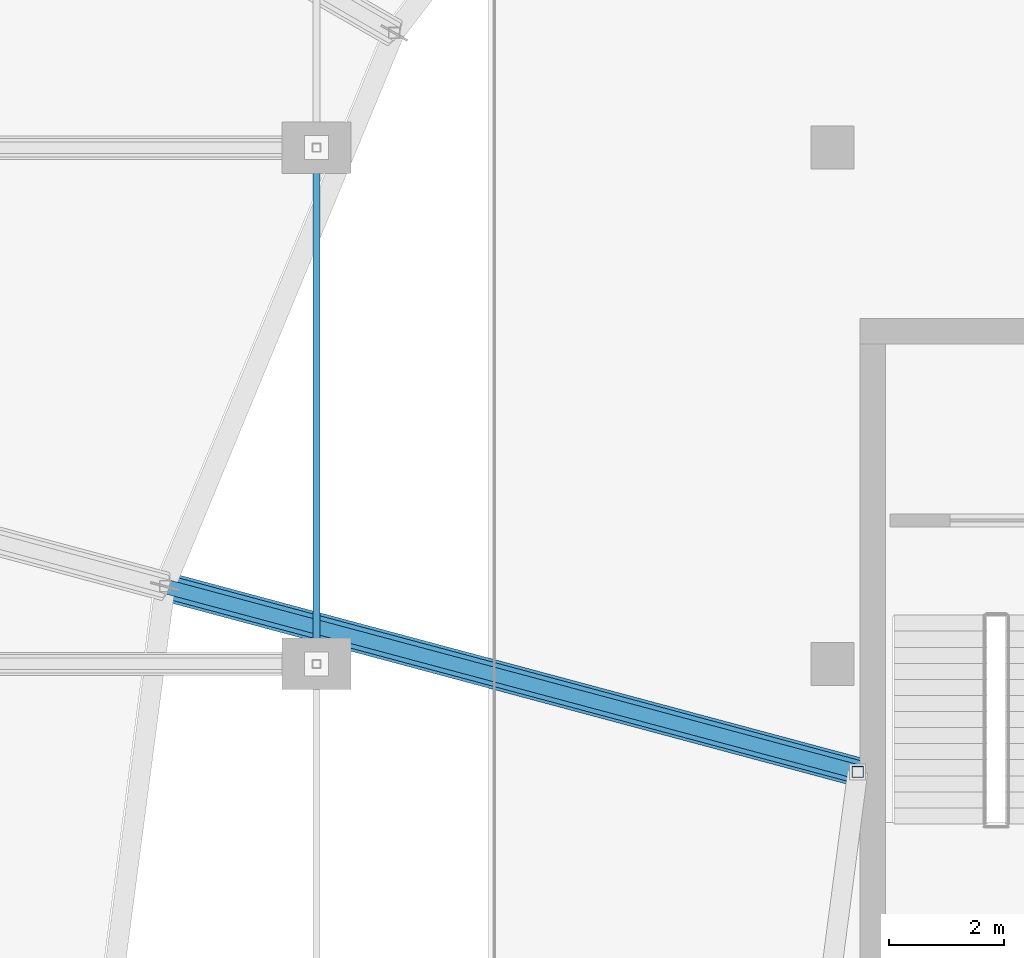
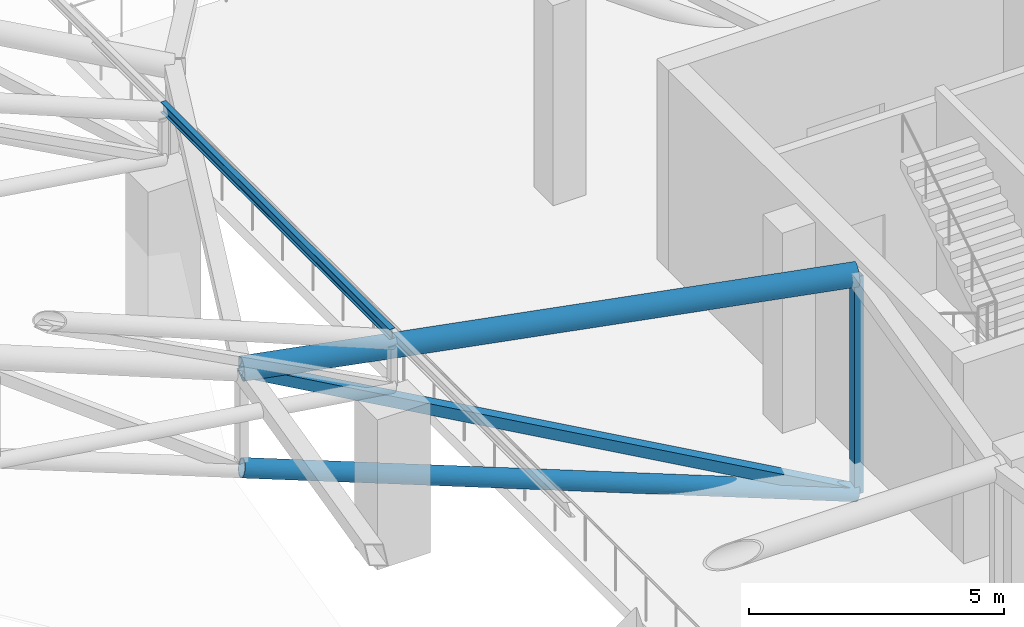
# One storey, part 52 of 167: 5 members.
"""IFC4 building model written with IfcOpenShell, lengths in metres."""

from ifc_helpers import new_model, si_unit, direction, frame, origin, origin_2d, place, context, subcontext, project, spatial, hollow_rectangle, hollow_circle, i_section, extrude, material, material_profile, profile_set, type_object, element, save


model = new_model("IFC4")

# Units and contexts
model_context = context("Model", 3, precision=1e-05, world=origin(), true_north=direction((0.0, 1.0)))
body_context = subcontext(model_context, "Body", "Model", "MODEL_VIEW")
ifc_project = project(units=[si_unit("LENGTHUNIT", "METRE"), si_unit("AREAUNIT", "SQUARE_METRE"), si_unit("VOLUMEUNIT", "CUBIC_METRE"), si_unit("PLANEANGLEUNIT", "RADIAN"), si_unit("MASSUNIT", "GRAM", prefix="KILO")], contexts=[model_context])

# Site, building, storey
site_placement = place(None, origin())
site = spatial("IfcSite", under=ifc_project, at=site_placement, CompositionType="ELEMENT")
building_placement = place(site_placement, origin())
building = spatial("IfcBuilding", under=site, at=building_placement, Name="Dornveld Trade and Exhibition Forum", CompositionType="ELEMENT")
storey_placement = place(building_placement, frame((0.0, 0.0, 16.800048828125)))
storey = spatial("IfcBuildingStorey", under=building, at=storey_placement, Name="L03", CompositionType="ELEMENT", Elevation=16.800048828125)

# Members
ifc_material_1 = material(Name="Steel S355J2", Category="steel")
ifc_material_profile_1 = material_profile(ifc_material_1, hollow_circle(Radius=0.203125, WallThickness=0.02001953125, at=origin_2d()), Name="CHS 406.4x20")
ifc_profile_set_1 = profile_set([ifc_material_profile_1], Name="Steel S355J2")
member_type_1 = type_object("IfcMemberType", Name="MEM-DISC-BC", PredefinedType="CHORD", material=ifc_profile_set_1)
member_1_placement = place(storey_placement, frame((90.43701171875, 88.117431640625, -0.76220703125), z_axis=(-0.941952172258, 0.25240623166, 0.221398282283), x_axis=(-0.258829481187, -0.965923029888, 0.0)))
element("IfcMember", 1, at=member_1_placement, inside=storey, type_object=member_type_1, Name="Roof disc radial R12 conical bottom chord 2", PredefinedType="CHORD", context=body_context, shape_type="SweptSolid", body=[
    extrude(hollow_circle(Radius=0.203125, WallThickness=0.02001953125, at=origin_2d()), origin(), (0.0, 0.0, 1.0), 12.818115234375),
])
ifc_material_2 = material(Name="Steel S355J2", Category="steel")
ifc_material_profile_2 = material_profile(ifc_material_2, hollow_rectangle(XDim=0.199951171875, YDim=0.199951171875, WallThickness=0.010009765625, at=origin_2d()), Name="SHS 200x200x10")
ifc_profile_set_2 = profile_set([ifc_material_profile_2], Name="Steel S355J2")
member_type_2 = type_object("IfcMemberType", Name="MEM-DISC-STR", PredefinedType="STRUT", material=ifc_profile_set_2)
member_2_placement = place(storey_placement, frame((90.43701171875, 88.117431640625, -0.76220703125), z_axis=(0.0, 0.0, 1.0), x_axis=(1.0, 0.0, 0.0)))
element("IfcMember", 2, at=member_2_placement, inside=storey, type_object=member_type_2, Name="Roof disc radial R12 strut 2", PredefinedType="STRUT", context=body_context, shape_type="SweptSolid", body=[
    extrude(hollow_rectangle(XDim=0.199951171875, YDim=0.199951171875, WallThickness=0.010009765625, at=origin_2d()), origin(), (0.0, 0.0, 1.0), 5.212158203125),
])
ifc_material_3 = material(Name="Steel S355J2", Category="steel")
ifc_material_profile_3 = material_profile(ifc_material_3, hollow_circle(Radius=0.25390625, WallThickness=0.02490234375, at=origin_2d()), Name="CHS 508x25")
ifc_profile_set_3 = profile_set([ifc_material_profile_3], Name="Steel S355J2")
member_type_3 = type_object("IfcMemberType", Name="MEM-DISC-TC", PredefinedType="CHORD", material=ifc_profile_set_3)
member_3_placement = place(storey_placement, frame((90.43701171875, 88.117431640625, 4.449951171875), z_axis=(-0.965923029888, 0.258829481187, 0.0), x_axis=(-0.258829481187, -0.965923029888, 0.0)))
element("IfcMember", 3, at=member_3_placement, inside=storey, type_object=member_type_3, Name="Roof disc radial R12 top chord 2", PredefinedType="CHORD", context=body_context, shape_type="SweptSolid", body=[
    extrude(hollow_circle(Radius=0.25390625, WallThickness=0.02490234375, at=origin_2d()), origin(), (0.0, 0.0, 1.0), 12.5),
])
ifc_material_4 = material(Name="Steel S355J2", Category="steel")
ifc_material_profile_4 = material_profile(ifc_material_4, hollow_rectangle(XDim=0.25, YDim=0.25, WallThickness=0.012451171875, at=origin_2d()), Name="SHS 250x250x12.5")
ifc_profile_set_4 = profile_set([ifc_material_profile_4], Name="Steel S355J2")
member_type_4 = type_object("IfcMemberType", Name="MEM-DISC-WEB", PredefinedType="BRACE", material=ifc_profile_set_4)
member_4_placement = place(storey_placement, frame((90.43701171875, 88.117431640625, -0.76220703125), z_axis=(-0.891523685101, 0.23889337529, 0.384857732347), x_axis=(-0.258829481187, -0.965923029888, 0.0)))
element("IfcMember", 4, at=member_4_placement, inside=storey, type_object=member_type_4, Name="Roof disc radial R12 web 2", PredefinedType="BRACE", context=body_context, shape_type="SweptSolid", body=[
    extrude(hollow_rectangle(XDim=0.25, YDim=0.25, WallThickness=0.012451171875, at=origin_2d()), origin(), (0.0, 0.0, 1.0), 13.54296875),
])
ifc_material_5 = material(Name="Steel S355J2", Category="steel")
ifc_material_profile_5 = material_profile(ifc_material_5, i_section(OverallWidth=0.1201171875, OverallDepth=0.239990234375, WebThickness=0.006103515625, FlangeThickness=0.009765625, FilletRadius=0.014892578125, at=origin_2d()), Name="IPE 240")
ifc_profile_set_5 = profile_set([ifc_material_profile_5], Name="Steel S355J2")
member_type_5 = type_object("IfcMemberType", Name="MEM-PURLIN-240", PredefinedType="PURLIN", material=ifc_profile_set_5)
member_5_placement = place(storey_placement, frame((81.0, 90.0, 5.181884765625), z_axis=(0.0, 1.0, 0.0), x_axis=(-1.0, 0.0, 0.0)))
element("IfcMember", 5, at=member_5_placement, inside=storey, type_object=member_type_5, Name="H3 bay 7 roof purlin 7", PredefinedType="PURLIN", context=body_context, shape_type="SweptSolid", body=[
    extrude(i_section(OverallWidth=0.1201171875, OverallDepth=0.239990234375, WebThickness=0.006103515625, FlangeThickness=0.009765625, FilletRadius=0.014892578125, at=origin_2d()), origin(), (0.0, 0.0, 1.0), 9.0),
])

save(model, "model.ifc")
